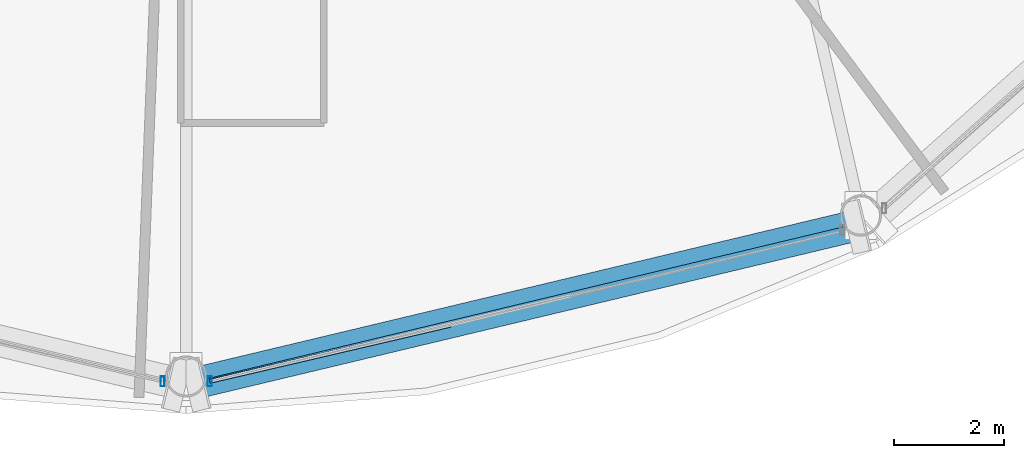
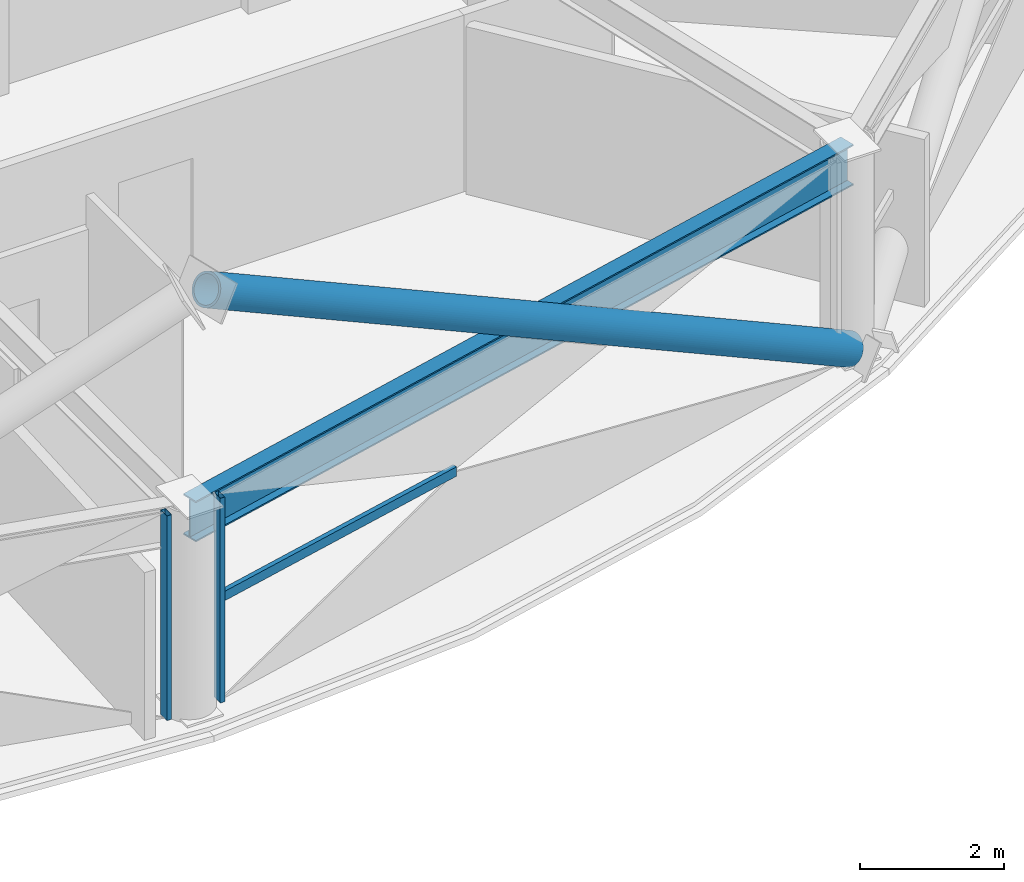
# One storey, part 4 of 29: 4 members, 1 beam, 2 elements without a shape of their own.
"""IFC4 building model written with IfcOpenShell, lengths in metres."""

from ifc_helpers import new_model, si_unit, direction, frame, origin, origin_2d, place, context, subcontext, project, spatial, hollow_rectangle, hollow_circle, i_section, extrude, material, layer, layer_set, material_profile, profile_set, type_object, element, aggregate, save


model = new_model("IFC4")

# Units and contexts
model_context = context("Model", 3, precision=1e-05, world=origin(), true_north=direction((0.0, 1.0)))
body_context = subcontext(model_context, "Body", "Model", "MODEL_VIEW")
ifc_project = project(units=[si_unit("LENGTHUNIT", "METRE"), si_unit("AREAUNIT", "SQUARE_METRE"), si_unit("VOLUMEUNIT", "CUBIC_METRE"), si_unit("PLANEANGLEUNIT", "RADIAN"), si_unit("MASSUNIT", "GRAM", prefix="KILO")], contexts=[model_context])

# Site, building, storey
site_placement = place(None, origin())
site = spatial("IfcSite", under=ifc_project, at=site_placement, CompositionType="ELEMENT")
building_placement = place(site_placement, origin())
building = spatial("IfcBuilding", under=site, at=building_placement, Name="Vantalir Tower", CompositionType="ELEMENT")
storey_placement = place(building_placement, frame((0.0, 0.0, 164.699951171875)))
storey = spatial("IfcBuildingStorey", under=building, at=storey_placement, Name="L41", CompositionType="ELEMENT", Elevation=164.699951171875)

# Beam
ifc_material_1 = material(Name="Steel S460", Category="steel")
ifc_material_profile_1 = material_profile(ifc_material_1, i_section(OverallWidth=0.256103515625, OverallDepth=0.693115234375, WebThickness=0.014404296875, FlangeThickness=0.023681640625, at=origin_2d()), Name="Steel S460")
ifc_profile_set_1 = profile_set([ifc_material_profile_1], Name="Steel S460")
beam_type = type_object("IfcBeamType", Name="BM-RG-686x254", PredefinedType="USERDEFINED", material=ifc_profile_set_1)
beam_placement = place(storey_placement, frame((31.5, 3.152099609375, 3.22412109375), z_axis=(0.972698315596, 0.232073235934, 0.0), x_axis=(-0.232073235934, 0.972698315596, 0.0)))
element("IfcBeam", 1, at=beam_placement, inside=storey, type_object=beam_type, Name="L41 Circumferential Ring Girder 10", ObjectType="GIRDER", PredefinedType="USERDEFINED", context=body_context, shape_type="SweptSolid", body=[
    extrude(i_section(OverallWidth=0.256103515625, OverallDepth=0.693115234375, WebThickness=0.014404296875, FlangeThickness=0.023681640625, at=origin_2d()), origin(), (0.0, 0.0, 1.0), 12.6123046875),
])

# Curtain wall, member
ifc_material_2 = material(Name="Champagne-silver PVDF aluminium and double-silver Low-E glass", Category="aluminium")
ifc_layer = layer(ifc_material_2, 0.199951171875)
ifc_layer_set = layer_set([ifc_layer], Name="Champagne-silver PVDF aluminium and double-silver Low-E glass")
curtain_wall_type = type_object("IfcCurtainWallType", Name="CW-DIAMOND-Z2", PredefinedType="USERDEFINED", material=ifc_layer_set)
curtain_wall_1_placement = place(storey_placement, origin())
curtain_wall_1 = element("IfcCurtainWall", 2, at=curtain_wall_1_placement, inside=storey, type_object=curtain_wall_type, Name="L41 Quilted Pyramid-Diamond Curtain Wall S09", ObjectType="UNITISED CURTAIN WALL", PredefinedType="USERDEFINED")
ifc_material_3 = material(Name="Champagne-silver PVDF aluminium 6063-T6", Category="aluminium")
ifc_material_profile_2 = material_profile(ifc_material_3, hollow_rectangle(XDim=0.074951171875, YDim=0.179931640625, WallThickness=0.00390625, at=origin_2d()), Name="Champagne-silver PVDF aluminium 6063-T6")
ifc_profile_set_2 = profile_set([ifc_material_profile_2], Name="Champagne-silver PVDF aluminium 6063-T6")
member_type_1 = type_object("IfcMemberType", Name="CWM-180x75", PredefinedType="MULLION", material=ifc_profile_set_2)
member_1_placement = place(storey_placement, frame((31.072021484375, 3.06396484375, 0.045166015625), z_axis=(0.0, 0.0, 1.0), x_axis=(1.0, 0.0, 0.0)))
member_1 = element("IfcMember", 3, at=member_1_placement, type_object=member_type_1, Name="CW-L41-S09 Mullion 2", PredefinedType="MULLION", context=body_context, shape_type="SweptSolid", body=[
    extrude(hollow_rectangle(XDim=0.074951171875, YDim=0.179931640625, WallThickness=0.00390625, at=origin_2d()), origin(), (0.0, 0.0, 1.0), 3.47998046875),
])
aggregate(curtain_wall_1, [member_1])

# Curtain wall, members
curtain_wall_2_placement = place(storey_placement, origin())
curtain_wall_2 = element("IfcCurtainWall", 4, at=curtain_wall_2_placement, inside=storey, type_object=curtain_wall_type, Name="L41 Quilted Pyramid-Diamond Curtain Wall S10", ObjectType="UNITISED CURTAIN WALL", PredefinedType="USERDEFINED")
member_2_placement = place(storey_placement, frame((31.927978515625, 3.06396484375, 0.045166015625), z_axis=(0.0, 0.0, 1.0), x_axis=(1.0, 0.0, 0.0)))
member_2 = element("IfcMember", 5, at=member_2_placement, type_object=member_type_1, Name="CW-L41-S10 Mullion 1", PredefinedType="MULLION", context=body_context, shape_type="SweptSolid", body=[
    extrude(hollow_rectangle(XDim=0.074951171875, YDim=0.179931640625, WallThickness=0.00390625, at=origin_2d()), origin(), (0.0, 0.0, 1.0), 3.47998046875),
])
ifc_material_profile_3 = material_profile(ifc_material_3, hollow_rectangle(XDim=0.074951171875, YDim=0.159912109375, WallThickness=0.00390625, at=origin_2d()), Name="Champagne-silver PVDF aluminium 6063-T6")
ifc_profile_set_3 = profile_set([ifc_material_profile_3], Name="Champagne-silver PVDF aluminium 6063-T6")
member_type_2 = type_object("IfcMemberType", Name="CWT-160x75", PredefinedType="USERDEFINED", material=ifc_profile_set_3)
member_3_placement = place(storey_placement, frame((31.927978515625, 3.06396484375, 1.78515625), z_axis=(0.973866841455, 0.227119737395, 0.0), x_axis=(-0.227119737395, 0.973866841455, 0.0)))
member_3 = element("IfcMember", 6, at=member_3_placement, type_object=member_type_2, Name="CW-L41-S10 Pyramid Fold Ridge Transom", ObjectType="TRANSOM", PredefinedType="USERDEFINED", context=body_context, shape_type="SweptSolid", body=[
    extrude(hollow_rectangle(XDim=0.074951171875, YDim=0.159912109375, WallThickness=0.00390625, at=origin_2d()), origin(), (0.0, 0.0, 1.0), 4.495361328125),
])
aggregate(curtain_wall_2, [member_2, member_3])

# Member
ifc_material_profile_4 = material_profile(ifc_material_1, hollow_circle(Radius=0.260009765625, WallThickness=0.0380859375, at=origin_2d()), Name="Steel S460")
ifc_profile_set_4 = profile_set([ifc_material_profile_4], Name="Steel S460")
member_type_3 = type_object("IfcMemberType", Name="MEM-DB-520x38", PredefinedType="BRACE", material=ifc_profile_set_4)
member_4_placement = place(storey_placement, frame((43.677001953125, 5.8701171875, 0.18798828125), z_axis=(-0.847464333398, -0.202345805513, 0.49077528321), x_axis=(0.232238050254, -0.972658978273, 0.0)))
element("IfcMember", 7, at=member_4_placement, inside=storey, type_object=member_type_3, Name="L41 Perimeter S460 Diagrid Brace R31R", PredefinedType="BRACE", context=body_context, shape_type="SweptSolid", body=[
    extrude(hollow_circle(Radius=0.260009765625, WallThickness=0.0380859375, at=origin_2d()), origin(), (0.0, 0.0, 1.0), 14.149169921875),
])

save(model, "model.ifc")
